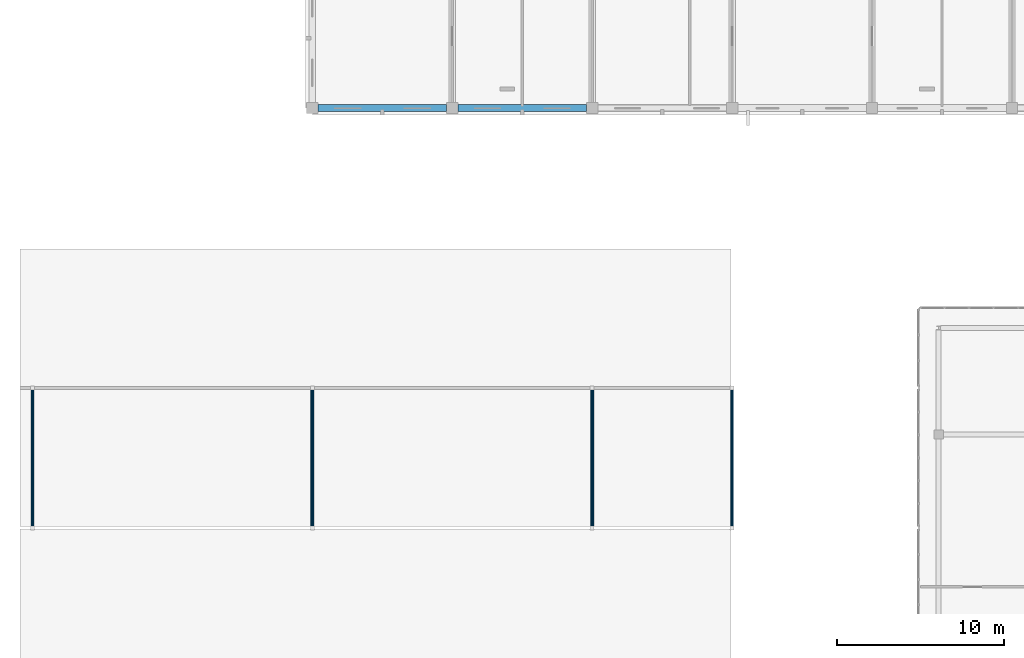
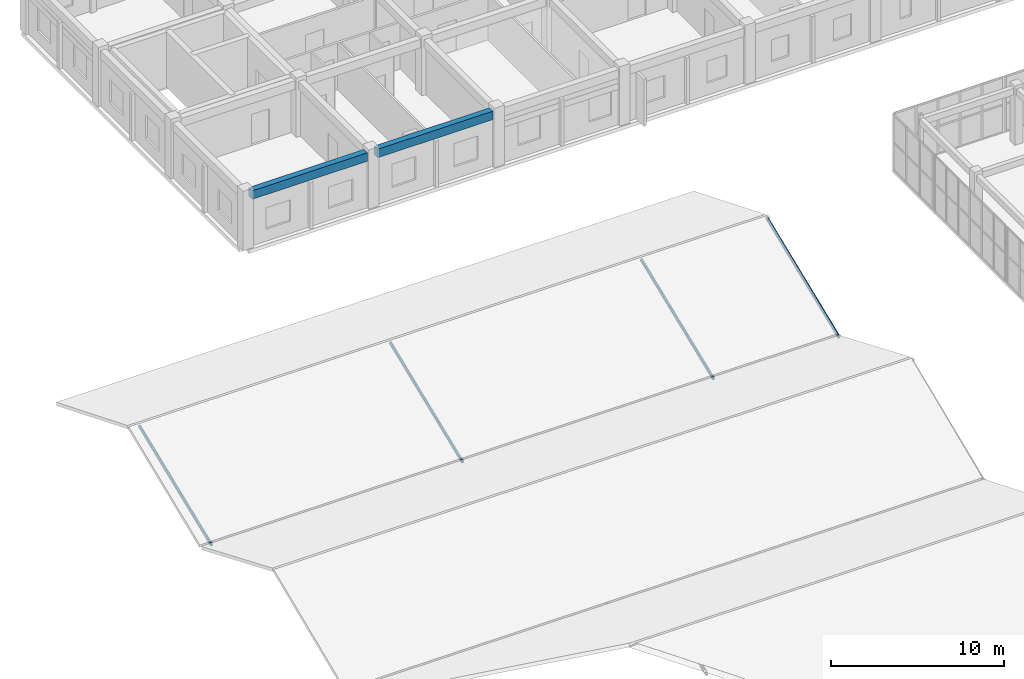
# One storey, part 47 of 140: 4 members, 2 beams.
"""IFC4 building model written with IfcOpenShell, lengths in metres."""

from ifc_helpers import new_model, si_unit, direction, frame, origin, origin_2d, place, context, subcontext, project, spatial, rectangle, hollow_circle, extrude, material, material_profile, profile_set, type_object, element, save


model = new_model("IFC4")

# Units and contexts
model_context = context("Model", 3, precision=1e-05, world=origin(), true_north=direction((0.0, 1.0)))
body_context = subcontext(model_context, "Body", "Model", "MODEL_VIEW")
ifc_project = project(units=[si_unit("LENGTHUNIT", "METRE"), si_unit("AREAUNIT", "SQUARE_METRE"), si_unit("VOLUMEUNIT", "CUBIC_METRE"), si_unit("PLANEANGLEUNIT", "RADIAN"), si_unit("MASSUNIT", "GRAM", prefix="KILO")], contexts=[model_context])

# Site, building, storey
site_placement = place(None, origin())
site = spatial("IfcSite", under=ifc_project, at=site_placement, CompositionType="ELEMENT")
building_placement = place(site_placement, origin())
building = spatial("IfcBuilding", under=site, at=building_placement, Name="Trelvath General Hospital", CompositionType="ELEMENT")
storey_placement = place(building_placement, frame((0.0, 0.0, 16.199951171875)))
storey = spatial("IfcBuildingStorey", under=building, at=storey_placement, Name="L04", CompositionType="ELEMENT", Elevation=16.199951171875)

# Beams
ifc_material_1 = material(Name="Concrete C35/45", Category="concrete")
ifc_material_profile_1 = material_profile(ifc_material_1, rectangle(XDim=0.39990234375, YDim=0.60009765625, at=origin_2d()), Name="RCB400x600")
ifc_profile_set_1 = profile_set([ifc_material_profile_1], Name="Concrete C35/45")
beam_type = type_object("IfcBeamType", Name="Beam RC400x600", PredefinedType="BEAM", material=ifc_profile_set_1)
for number, where, z_axis, x_axis, name in (
    (1, (17.135009765625, 92.39990234375, 3.6201171875), (1.0, 0.0, 0.0), (0.0, 1.0, 0.0), "Grid Beam BX-402L"),
    (2, (25.534912109375, 92.39990234375, 3.6201171875), (1.0, 0.0, 0.0), (0.0, 1.0, 0.0), "Grid Beam BX-403L"),
):
    element("IfcBeam", number, at=place(storey_placement, frame(where, z_axis=z_axis, x_axis=x_axis)), inside=storey, type_object=beam_type, Name=name, PredefinedType="BEAM", context=body_context, shape_type="SweptSolid", body=[
        extrude(rectangle(XDim=0.39990234375, YDim=0.60009765625, at=origin_2d()), origin(), (0.0, 0.0, 1.0), 7.72998046875),
    ])

# Members
ifc_material_2 = material(Name="Steel S355", Category="steel")
ifc_material_profile_2 = material_profile(ifc_material_2, hollow_circle(Radius=0.096923828125, WallThickness=0.008056640625, at=origin_2d()), Name="CHS193.7x8.0")
ifc_profile_set_2 = profile_set([ifc_material_profile_2], Name="Steel S355")
member_type = type_object("IfcMemberType", Name="ShellStrut CHS193", PredefinedType="STRUT", material=ifc_profile_set_2)
for number, where, z_axis, x_axis, name in (
    (3, (0.0, 67.199951171875, 0.0), (0.0, 0.927710467921, 0.373300532693), (-1.0, 0.0, 0.0), "Surgical Sawtooth Shell Strut 27"),
    (4, (16.800048828125, 67.199951171875, 0.0), (0.0, 0.927710467921, 0.373300532693), (-1.0, 0.0, 0.0), "Surgical Sawtooth Shell Strut 28"),
    (5, (33.60009765625, 67.199951171875, 0.0), (0.0, 0.927710467921, 0.373300532693), (-1.0, 0.0, 0.0), "Surgical Sawtooth Shell Strut 29"),
    (6, (42.0, 67.199951171875, 0.0), (0.0, 0.927710467921, 0.373300532693), (-1.0, 0.0, 0.0), "Surgical Sawtooth Shell Strut 30"),
):
    element("IfcMember", number, at=place(storey_placement, frame(where, z_axis=z_axis, x_axis=x_axis)), inside=storey, type_object=member_type, Name=name, PredefinedType="STRUT", context=body_context, shape_type="SweptSolid", body=[
        extrude(hollow_circle(Radius=0.096923828125, WallThickness=0.008056640625, at=origin_2d()), origin(), (0.0, 0.0, 1.0), 9.0546875),
    ])

save(model, "model.ifc")
